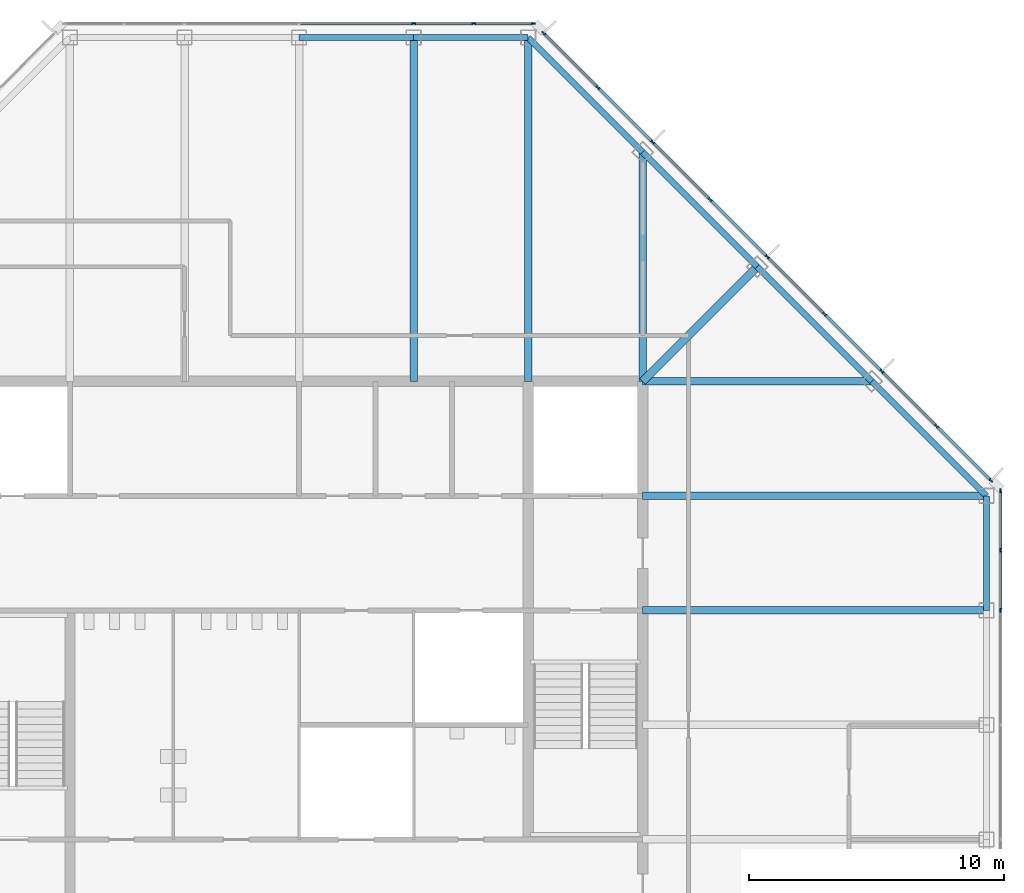
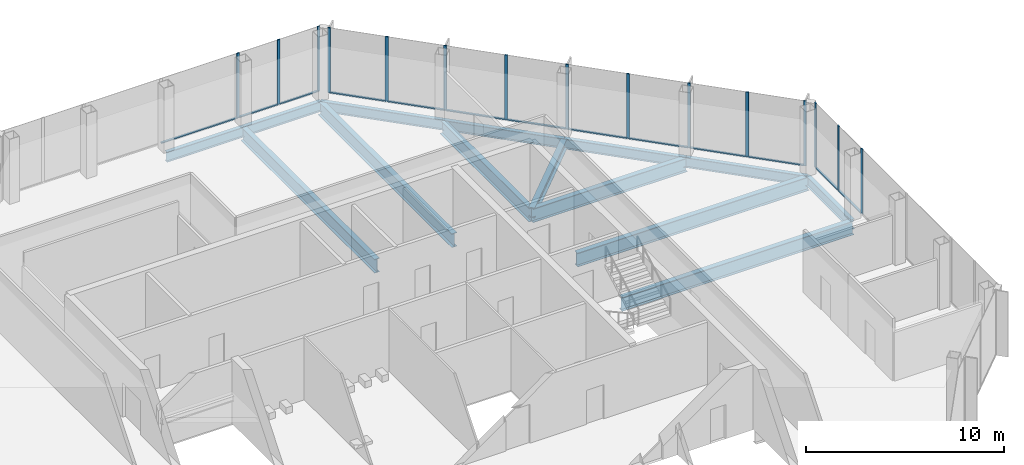
# One storey, part 7 of 13: 28 members, 14 beams, 3 elements without a shape of their own.
"""IFC4 building model written with IfcOpenShell, lengths in metres."""

import ifcopenshell
import ifcopenshell.guid

model = None  # the IFC model being written
_history = None  # IfcOwnerHistory: only IFC2X3 demands one
_inside = {}  # id of a spatial element -> (the spatial element, [elements in it])
_under = {}  # id of a project, library or spatial element -> (it, [spatial elements below it])
_declared = {}  # id of a project -> (the project, [libraries it declares])
_typed = {}  # id of a type object -> (the type object, [elements of that type])
_made_of = {}  # id of a material, layer set ... -> (it, [elements and type objects made of it])


def new_model(schema):
    """Start an empty IFC model of exactly this schema.

    Asked for "IFC4X3", IfcOpenShell would pick the latest addendum, in which some entities
    have other attributes; the version numbers below select the first issue.
    IFC2X3 requires an IfcOwnerHistory on every rooted entity: one is made here for all.
    """
    global model, _history
    if schema == "IFC4X3":
        model = ifcopenshell.file(schema_version=(4, 3, 0, 0))
    else:
        model = ifcopenshell.file(schema=schema)
    _inside.clear()
    _under.clear()
    _declared.clear()
    _typed.clear()
    _made_of.clear()
    _history = None
    if model.schema == "IFC2X3":
        org = make("IfcOrganization", Name="unknown")
        user = make(
            "IfcPersonAndOrganization",
            ThePerson=make("IfcPerson", FamilyName="unknown"),
            TheOrganization=org,
        )
        app = make(
            "IfcApplication",
            ApplicationDeveloper=org,
            Version="unknown",
            ApplicationFullName="unknown",
            ApplicationIdentifier="unknown",
        )
        _history = make(
            "IfcOwnerHistory",
            OwningUser=user,
            OwningApplication=app,
            ChangeAction="ADDED",
            CreationDate=0,
        )
    return model


def make(cls, **values):
    """One entity of the class cls with the attributes given. An attribute that is None is left unset."""
    return model.create_entity(
        cls, **{name: value for name, value in values.items() if value is not None}
    )


def rooted(cls, **values):
    """An entity with a GlobalId (a new one), such as an element, a storey or a relation."""
    return make(cls, GlobalId=ifcopenshell.guid.new(), OwnerHistory=_history, **values)


def si_unit(unit_type, name, prefix=None):
    """IfcSIUnit, for example si_unit("LENGTHUNIT", "METRE", prefix="MILLI")."""
    return make("IfcSIUnit", UnitType=unit_type, Prefix=prefix, Name=name)


def assignment(units):
    """IfcUnitAssignment: the units of a project."""
    return None if units is None else make("IfcUnitAssignment", Units=units)


def point(xyz):
    """IfcCartesianPoint."""
    return None if xyz is None else make("IfcCartesianPoint", Coordinates=xyz)


def direction(xyz):
    """IfcDirection."""
    return None if xyz is None else make("IfcDirection", DirectionRatios=xyz)


def frame(location, z_axis=None, x_axis=None):
    """IfcAxis2Placement3D, a coordinate frame: its origin and axes. An axis left out is left unset."""
    return make(
        "IfcAxis2Placement3D",
        Location=point(location),
        Axis=direction(z_axis),
        RefDirection=direction(x_axis),
    )


def frame_2d(location, x_axis=None):
    """IfcAxis2Placement2D, a coordinate frame in the plane: its origin and x axis."""
    return make(
        "IfcAxis2Placement2D", Location=point(location), RefDirection=direction(x_axis)
    )


def origin():
    """The frame at (0, 0, 0) with its axes left unset."""
    return frame((0.0, 0.0, 0.0))


def origin_2d():
    """The frame at (0, 0) in the plane with its x axis left unset."""
    return frame_2d((0.0, 0.0))


def place(relative_to, where):
    """IfcLocalPlacement: puts the frame where relative to a parent placement (None: the world)."""
    return make(
        "IfcLocalPlacement", PlacementRelTo=relative_to, RelativePlacement=where
    )


def context(
    kind, dimensions, precision=None, world=None, true_north=None, identifier=None
):
    """IfcGeometricRepresentationContext, for example the 3D "Model" context."""
    return make(
        "IfcGeometricRepresentationContext",
        ContextIdentifier=identifier,
        ContextType=kind,
        CoordinateSpaceDimension=dimensions,
        Precision=precision,
        WorldCoordinateSystem=world,
        TrueNorth=true_north,
    )


def subcontext(parent, identifier, kind, view, scale=None):
    """IfcGeometricRepresentationSubContext, for example "Body" below "Model"."""
    return make(
        "IfcGeometricRepresentationSubContext",
        ContextIdentifier=identifier,
        ContextType=kind,
        ParentContext=parent,
        TargetScale=scale,
        TargetView=view,
    )


def project(units=None, contexts=None):
    """IfcProject with its units and contexts."""
    return rooted(
        "IfcProject",
        Name="project",
        RepresentationContexts=contexts,
        UnitsInContext=assignment(units),
    )


def spatial(cls, under=None, at=None, **own):
    """A site, building, storey or space (cls), placed at a placement, below another one or the project."""
    s = rooted(cls, ObjectPlacement=at, **own)
    if under is not None:
        _under.setdefault(under.id(), (under, []))[1].append(s)
    return s


def profile(cls, at=None, kind="AREA", **sizes):
    """A parametric profile (cls). Its sizes go by their IFC names, for example OverallWidth=200.0."""
    return make(cls, ProfileType=kind, Position=at, **sizes)


def rectangle(**sizes):
    """IfcRectangleProfileDef."""
    return profile("IfcRectangleProfileDef", **sizes)


def i_section(**sizes):
    """IfcIShapeProfileDef."""
    return profile("IfcIShapeProfileDef", **sizes)


def extrude(swept, where, along, depth):
    """IfcExtrudedAreaSolid: the profile swept, set in the frame where, extruded along a direction by depth."""
    return make(
        "IfcExtrudedAreaSolid",
        SweptArea=swept,
        Position=where,
        ExtrudedDirection=direction(along),
        Depth=depth,
    )


def shape(context_of_items, identifier, shape_type, items):
    """IfcShapeRepresentation: the items that make up one representation, for example the "Body"."""
    return make(
        "IfcShapeRepresentation",
        ContextOfItems=context_of_items,
        RepresentationIdentifier=identifier,
        RepresentationType=shape_type,
        Items=items,
    )


def material(Name=None, Category=None):
    """IfcMaterial."""
    return make("IfcMaterial", Name=Name, Category=Category)


def material_profile(
    of_material, cross_section, Name=None, Category=None, Priority=None
):
    """IfcMaterialProfile: a cross section and its material."""
    return make(
        "IfcMaterialProfile",
        Name=Name,
        Material=of_material,
        Profile=cross_section,
        Priority=Priority,
        Category=Category,
    )


def profile_set(profiles, Name=None, composite=None):
    """IfcMaterialProfileSet."""
    return make(
        "IfcMaterialProfileSet",
        Name=Name,
        MaterialProfiles=profiles,
        CompositeProfile=composite,
    )


def made_of(thing, what):
    """Note that an element or type object is made of a material, layer set ...; save() writes the relation."""
    if what is not None:
        _made_of.setdefault(what.id(), (what, []))[1].append(thing)
    return thing


def type_object(cls, material=None, **own):
    """A type object (cls), such as IfcWallType, which elements share."""
    return made_of(rooted(cls, **own), material)


def element(
    cls,
    number,
    at=None,
    inside=None,
    cuts=None,
    type_object=None,
    material=None,
    context=None,
    identifier="Body",
    shape_type=None,
    held_by="IfcProductDefinitionShape",
    body=None,
    shapes=None,
    **own,
):
    """One element of the class cls, such as IfcWall. Its Tag is "e" and its number.

    at: its placement. inside: the storey or other place that contains it. cuts: it is an
    opening in that element (IfcRelVoidsElement). A single representation is given by context,
    identifier, shape_type and body (its items); several are given by shapes. held_by: the class
    of the entity that holds the representations. save() writes the other relations.
    """
    e = rooted(cls, Tag="e%d" % number, ObjectPlacement=at, **own)
    if body is not None:
        shapes = [shape(context, identifier, shape_type, body)]
    if shapes is not None:
        e.Representation = make(held_by, Representations=shapes)
    if inside is not None:
        _inside.setdefault(inside.id(), (inside, []))[1].append(e)
    if cuts is not None:
        rooted(
            "IfcRelVoidsElement", RelatingBuildingElement=cuts, RelatedOpeningElement=e
        )
    if type_object is not None:
        _typed.setdefault(type_object.id(), (type_object, []))[1].append(e)
    return made_of(e, material)


def aggregate(whole, parts):
    """IfcRelAggregates: a whole, such as a stair, and the parts it consists of."""
    return rooted("IfcRelAggregates", RelatingObject=whole, RelatedObjects=parts)


def save(model, path):
    """Write the relations noted so far, then the file.

    IfcRelAggregates (storeys below a building ...), IfcRelContainedInSpatialStructure (elements
    in a storey), IfcRelDefinesByType, IfcRelAssociatesMaterial and IfcRelDeclares: one each for
    every whole, place, type object, material and project.
    """
    for whole, parts in _under.values():
        aggregate(whole, parts)
    for where, things in _inside.values():
        rooted(
            "IfcRelContainedInSpatialStructure",
            RelatedElements=things,
            RelatingStructure=where,
        )
    for kind, things in _typed.values():
        rooted("IfcRelDefinesByType", RelatedObjects=things, RelatingType=kind)
    for what, things in _made_of.values():
        rooted("IfcRelAssociatesMaterial", RelatedObjects=things, RelatingMaterial=what)
    for by, libraries in _declared.values():
        rooted("IfcRelDeclares", RelatingContext=by, RelatedDefinitions=libraries)
    model.write(path)


model = new_model("IFC4")

# Units and contexts
model_context = context("Model", 3, precision=1e-05, world=origin(), true_north=direction((0.0, 1.0)))
body_context = subcontext(model_context, "Body", "Model", "MODEL_VIEW")
ifc_project = project(units=[si_unit("LENGTHUNIT", "METRE"), si_unit("AREAUNIT", "SQUARE_METRE"), si_unit("VOLUMEUNIT", "CUBIC_METRE"), si_unit("PLANEANGLEUNIT", "RADIAN"), si_unit("MASSUNIT", "GRAM", prefix="KILO")], contexts=[model_context])

# Site, building, storey
site_placement = place(None, origin())
site = spatial("IfcSite", under=ifc_project, at=site_placement, CompositionType="ELEMENT")
building_placement = place(site_placement, origin())
building = spatial("IfcBuilding", under=site, at=building_placement, Name="Corais Broadcast Tower", CompositionType="ELEMENT")
storey_placement = place(building_placement, frame((0.0, 0.0, 270.60009765625)))
storey = spatial("IfcBuildingStorey", under=building, at=storey_placement, Name="L63", CompositionType="ELEMENT", Elevation=270.60009765625)

# Beams
ifc_material_1 = material(Name="Steel ASTM A572 Grade 50", Category="steel")
ifc_material_profile_1 = material_profile(ifc_material_1, i_section(OverallWidth=0.323974609375, OverallDepth=0.611083984375, WebThickness=0.0126953125, FlangeThickness=0.01904296875, at=origin_2d()), Name="W610x155")
ifc_profile_set_1 = profile_set([ifc_material_profile_1], Name="Steel ASTM A572 Grade 50")
beam_type_1 = type_object("IfcBeamType", Name="Corner diagonal W610x155", PredefinedType="BEAM", material=ifc_profile_set_1)
beam_1_placement = place(storey_placement, frame((45.0, 45.0, -0.465576171875), z_axis=(-0.707106781187, -0.707106781187, 0.0), x_axis=(0.707106781187, -0.707106781187, 0.0)))
element("IfcBeam", 1, at=beam_1_placement, inside=storey, type_object=beam_type_1, Name="B6 L/13 to K/12", PredefinedType="BEAM", context=body_context, shape_type="SweptSolid", body=[
    extrude(i_section(OverallWidth=0.323974609375, OverallDepth=0.611083984375, WebThickness=0.0126953125, FlangeThickness=0.01904296875, at=origin_2d()), origin(), (0.0, 0.0, 1.0), 6.364013671875),
])
ifc_material_2 = material(Name="Steel ASTM A572 Grade 50", Category="steel")
ifc_material_profile_2 = material_profile(ifc_material_2, i_section(OverallWidth=0.2939453125, OverallDepth=0.85107421875, WebThickness=0.01611328125, FlangeThickness=0.02685546875, at=origin_2d()), Name="W840x226")
ifc_profile_set_2 = profile_set([ifc_material_profile_2], Name="Steel ASTM A572 Grade 50")
beam_type_2 = type_object("IfcBeamType", Name="Floor beam W840x226", PredefinedType="BEAM", material=ifc_profile_set_2)
for number, where, z_axis, x_axis, name in (
    (2, (31.5, 54.0, -0.585693359375), (0.0, -1.0, 0.0), (1.0, 0.0, 0.0), "B1 N/10 to K/10"),
    (3, (36.0, 54.0, -0.585693359375), (0.0, -1.0, 0.0), (1.0, 0.0, 0.0), "B1 N/11 to K/11"),
):
    element("IfcBeam", number, at=place(storey_placement, frame(where, z_axis=z_axis, x_axis=x_axis)), inside=storey, type_object=beam_type_2, Name=name, PredefinedType="BEAM", context=body_context, shape_type="SweptSolid", body=[
        extrude(i_section(OverallWidth=0.2939453125, OverallDepth=0.85107421875, WebThickness=0.01611328125, FlangeThickness=0.02685546875, at=origin_2d()), origin(), (0.0, 0.0, 1.0), 13.5),
    ])
for number, where, z_axis, x_axis, name in (
    (4, (40.5, 49.5, -0.585693359375), (0.0, -1.0, 0.0), (1.0, 0.0, 0.0), "B1 M/12 to K/12"),
    (5, (49.5, 40.5, -0.585693359375), (-1.0, 0.0, 0.0), (0.0, -1.0, 0.0), "B1 K/14 to K/12"),
):
    element("IfcBeam", number, at=place(storey_placement, frame(where, z_axis=z_axis, x_axis=x_axis)), inside=storey, type_object=beam_type_2, Name=name, PredefinedType="BEAM", context=body_context, shape_type="SweptSolid", body=[
        extrude(i_section(OverallWidth=0.2939453125, OverallDepth=0.85107421875, WebThickness=0.01611328125, FlangeThickness=0.02685546875, at=origin_2d()), origin(), (0.0, 0.0, 1.0), 9.0),
    ])
for number, where, z_axis, x_axis, name in (
    (6, (54.0, 31.5, -0.585693359375), (-1.0, 0.0, 0.0), (0.0, -1.0, 0.0), "B1 H/15 to H/12"),
    (7, (54.0, 36.0, -0.585693359375), (-1.0, 0.0, 0.0), (0.0, -1.0, 0.0), "B1 J/15 to J/12"),
):
    element("IfcBeam", number, at=place(storey_placement, frame(where, z_axis=z_axis, x_axis=x_axis)), inside=storey, type_object=beam_type_2, Name=name, PredefinedType="BEAM", context=body_context, shape_type="SweptSolid", body=[
        extrude(i_section(OverallWidth=0.2939453125, OverallDepth=0.85107421875, WebThickness=0.01611328125, FlangeThickness=0.02685546875, at=origin_2d()), origin(), (0.0, 0.0, 1.0), 13.5),
    ])

# Curtain wall, members
ifc_material_3 = material(Name="Aluminium and glass", Category="aluminium")
curtain_wall_type = type_object("IfcCurtainWallType", Name="Unitised fritted curtain wall CW3", PredefinedType="NOTDEFINED", material=ifc_material_3)
curtain_wall_1_placement = place(storey_placement, origin())
curtain_wall_1 = element("IfcCurtainWall", 8, at=curtain_wall_1_placement, inside=storey, type_object=curtain_wall_type, Name="CW3 curtain wall L63 4", PredefinedType="NOTDEFINED")
ifc_material_4 = material(Name="Aluminium 6063-T6", Category="aluminium")
ifc_material_profile_3 = material_profile(ifc_material_4, rectangle(XDim=0.06494140625, YDim=0.159912109375, at=origin_2d()), Name="Mullion CW3 65x160")
ifc_profile_set_3 = profile_set([ifc_material_profile_3], Name="Aluminium 6063-T6")
member_type_1 = type_object("IfcMemberType", Name="Mullion CW3 65x160", PredefinedType="MULLION", material=ifc_profile_set_3)
member_1_placement = place(storey_placement, frame((31.5, 54.550048828125, 0.0), z_axis=(0.0, 0.0, 1.0), x_axis=(0.0, 1.0, 0.0)))
member_1 = element("IfcMember", 9, at=member_1_placement, type_object=member_type_1, Name="CW3 mullion 5", PredefinedType="MULLION", context=body_context, shape_type="SweptSolid", body=[
    extrude(rectangle(XDim=0.06494140625, YDim=0.159912109375, at=origin_2d()), origin(), (0.0, 0.0, 1.0), 4.0),
])
member_2_placement = place(storey_placement, frame((33.864013671875, 54.550048828125, 0.0), z_axis=(0.0, 0.0, 1.0), x_axis=(0.0, 1.0, 0.0)))
member_2 = element("IfcMember", 10, at=member_2_placement, type_object=member_type_1, Name="CW3 mullion 6", PredefinedType="MULLION", context=body_context, shape_type="SweptSolid", body=[
    extrude(rectangle(XDim=0.06494140625, YDim=0.159912109375, at=origin_2d()), origin(), (0.0, 0.0, 1.0), 4.0),
])
member_3_placement = place(storey_placement, frame((36.1953125, 54.550048828125, 0.0), z_axis=(0.0, 0.0, 1.0), x_axis=(0.0, 1.0, 0.0)))
member_3 = element("IfcMember", 11, at=member_3_placement, type_object=member_type_1, Name="CW3 mullion 7", PredefinedType="MULLION", context=body_context, shape_type="SweptSolid", body=[
    extrude(rectangle(XDim=0.06494140625, YDim=0.159912109375, at=origin_2d()), origin(), (0.0, 0.0, 1.0), 4.0),
])

curtain_wall_2_placement = place(storey_placement, origin())
curtain_wall_2 = element("IfcCurtainWall", 12, at=curtain_wall_2_placement, inside=storey, type_object=curtain_wall_type, Name="CW3 curtain wall L63 5", PredefinedType="NOTDEFINED")
member_4_placement = place(storey_placement, frame((36.6044921875, 54.17333984375, 0.0), z_axis=(0.0, 0.0, 1.0), x_axis=(0.707106781187, 0.707106781187, 0.0)))
member_4 = element("IfcMember", 13, at=member_4_placement, type_object=member_type_1, Name="CW3 mullion 1", PredefinedType="MULLION", context=body_context, shape_type="SweptSolid", body=[
    extrude(rectangle(XDim=0.06494140625, YDim=0.159912109375, at=origin_2d()), origin(), (0.0, 0.0, 1.0), 4.0),
])
member_5_placement = place(storey_placement, frame((38.735107421875, 52.042724609375, 0.0), z_axis=(0.0, 0.0, 1.0), x_axis=(0.707106781187, 0.707106781187, 0.0)))
member_5 = element("IfcMember", 14, at=member_5_placement, type_object=member_type_1, Name="CW3 mullion 2", PredefinedType="MULLION", context=body_context, shape_type="SweptSolid", body=[
    extrude(rectangle(XDim=0.06494140625, YDim=0.159912109375, at=origin_2d()), origin(), (0.0, 0.0, 1.0), 4.0),
])
member_6_placement = place(storey_placement, frame((40.888916015625, 49.888916015625, 0.0), z_axis=(0.0, 0.0, 1.0), x_axis=(0.707106781187, 0.707106781187, 0.0)))
member_6 = element("IfcMember", 15, at=member_6_placement, type_object=member_type_1, Name="CW3 mullion 3", PredefinedType="MULLION", context=body_context, shape_type="SweptSolid", body=[
    extrude(rectangle(XDim=0.06494140625, YDim=0.159912109375, at=origin_2d()), origin(), (0.0, 0.0, 1.0), 4.0),
])
member_7_placement = place(storey_placement, frame((43.138916015625, 47.638916015625, 0.0), z_axis=(0.0, 0.0, 1.0), x_axis=(0.707106781187, 0.707106781187, 0.0)))
member_7 = element("IfcMember", 16, at=member_7_placement, type_object=member_type_1, Name="CW3 mullion 4", PredefinedType="MULLION", context=body_context, shape_type="SweptSolid", body=[
    extrude(rectangle(XDim=0.06494140625, YDim=0.159912109375, at=origin_2d()), origin(), (0.0, 0.0, 1.0), 4.0),
])
member_8_placement = place(storey_placement, frame((45.388916015625, 45.388916015625, 0.0), z_axis=(0.0, 0.0, 1.0), x_axis=(0.707106781187, 0.707106781187, 0.0)))
member_8 = element("IfcMember", 17, at=member_8_placement, type_object=member_type_1, Name="CW3 mullion 5", PredefinedType="MULLION", context=body_context, shape_type="SweptSolid", body=[
    extrude(rectangle(XDim=0.06494140625, YDim=0.159912109375, at=origin_2d()), origin(), (0.0, 0.0, 1.0), 4.0),
])
member_9_placement = place(storey_placement, frame((47.638916015625, 43.138916015625, 0.0), z_axis=(0.0, 0.0, 1.0), x_axis=(0.707106781187, 0.707106781187, 0.0)))
member_9 = element("IfcMember", 18, at=member_9_placement, type_object=member_type_1, Name="CW3 mullion 6", PredefinedType="MULLION", context=body_context, shape_type="SweptSolid", body=[
    extrude(rectangle(XDim=0.06494140625, YDim=0.159912109375, at=origin_2d()), origin(), (0.0, 0.0, 1.0), 4.0),
])
member_10_placement = place(storey_placement, frame((49.888916015625, 40.888916015625, 0.0), z_axis=(0.0, 0.0, 1.0), x_axis=(0.707106781187, 0.707106781187, 0.0)))
member_10 = element("IfcMember", 19, at=member_10_placement, type_object=member_type_1, Name="CW3 mullion 7", PredefinedType="MULLION", context=body_context, shape_type="SweptSolid", body=[
    extrude(rectangle(XDim=0.06494140625, YDim=0.159912109375, at=origin_2d()), origin(), (0.0, 0.0, 1.0), 4.0),
])
member_11_placement = place(storey_placement, frame((52.042724609375, 38.735107421875, 0.0), z_axis=(0.0, 0.0, 1.0), x_axis=(0.707106781187, 0.707106781187, 0.0)))
member_11 = element("IfcMember", 20, at=member_11_placement, type_object=member_type_1, Name="CW3 mullion 8", PredefinedType="MULLION", context=body_context, shape_type="SweptSolid", body=[
    extrude(rectangle(XDim=0.06494140625, YDim=0.159912109375, at=origin_2d()), origin(), (0.0, 0.0, 1.0), 4.0),
])
member_12_placement = place(storey_placement, frame((54.17333984375, 36.6044921875, 0.0), z_axis=(0.0, 0.0, 1.0), x_axis=(0.707106781187, 0.707106781187, 0.0)))
member_12 = element("IfcMember", 21, at=member_12_placement, type_object=member_type_1, Name="CW3 mullion 9", PredefinedType="MULLION", context=body_context, shape_type="SweptSolid", body=[
    extrude(rectangle(XDim=0.06494140625, YDim=0.159912109375, at=origin_2d()), origin(), (0.0, 0.0, 1.0), 4.0),
])

curtain_wall_3_placement = place(storey_placement, origin())
curtain_wall_3 = element("IfcCurtainWall", 22, at=curtain_wall_3_placement, inside=storey, type_object=curtain_wall_type, Name="CW3 curtain wall L63 6", PredefinedType="NOTDEFINED")
member_13_placement = place(storey_placement, frame((54.550048828125, 36.1953125, 0.0), z_axis=(0.0, 0.0, 1.0), x_axis=(1.0, 0.0, 0.0)))
member_13 = element("IfcMember", 23, at=member_13_placement, type_object=member_type_1, Name="CW3 mullion 1", PredefinedType="MULLION", context=body_context, shape_type="SweptSolid", body=[
    extrude(rectangle(XDim=0.06494140625, YDim=0.159912109375, at=origin_2d()), origin(), (0.0, 0.0, 1.0), 4.0),
])
member_14_placement = place(storey_placement, frame((54.550048828125, 33.864013671875, 0.0), z_axis=(0.0, 0.0, 1.0), x_axis=(1.0, 0.0, 0.0)))
member_14 = element("IfcMember", 24, at=member_14_placement, type_object=member_type_1, Name="CW3 mullion 2", PredefinedType="MULLION", context=body_context, shape_type="SweptSolid", body=[
    extrude(rectangle(XDim=0.06494140625, YDim=0.159912109375, at=origin_2d()), origin(), (0.0, 0.0, 1.0), 4.0),
])
member_15_placement = place(storey_placement, frame((54.550048828125, 31.5, 0.0), z_axis=(0.0, 0.0, 1.0), x_axis=(1.0, 0.0, 0.0)))
member_15 = element("IfcMember", 25, at=member_15_placement, type_object=member_type_1, Name="CW3 mullion 3", PredefinedType="MULLION", context=body_context, shape_type="SweptSolid", body=[
    extrude(rectangle(XDim=0.06494140625, YDim=0.159912109375, at=origin_2d()), origin(), (0.0, 0.0, 1.0), 4.0),
])

# Beams
ifc_material_5 = material(Name="Steel ASTM A572 Grade 50", Category="steel")
ifc_material_profile_4 = material_profile(ifc_material_5, i_section(OverallWidth=0.22998046875, OverallDepth=0.616943359375, WebThickness=0.01318359375, FlangeThickness=0.022216796875, at=origin_2d()), Name="W610x140")
ifc_profile_set_4 = profile_set([ifc_material_profile_4], Name="Steel ASTM A572 Grade 50")
beam_type_3 = type_object("IfcBeamType", Name="Spandrel W610x140", PredefinedType="BEAM", material=ifc_profile_set_4)
for number, where, z_axis, x_axis, name in (
    (26, (31.5, 54.0, -0.468505859375), (-1.0, 0.0, 0.0), (0.0, -1.0, 0.0), "SB3 N/10 to N/9"),
    (27, (36.0, 54.0, -0.468505859375), (-1.0, 0.0, 0.0), (0.0, -1.0, 0.0), "SB3 N/11 to N/10"),
):
    element("IfcBeam", number, at=place(storey_placement, frame(where, z_axis=z_axis, x_axis=x_axis)), inside=storey, type_object=beam_type_3, Name=name, PredefinedType="BEAM", context=body_context, shape_type="SweptSolid", body=[
        extrude(i_section(OverallWidth=0.22998046875, OverallDepth=0.616943359375, WebThickness=0.01318359375, FlangeThickness=0.022216796875, at=origin_2d()), origin(), (0.0, 0.0, 1.0), 4.5),
    ])
for number, where, z_axis, x_axis, name in (
    (28, (40.5, 49.5, -0.468505859375), (-0.707106781187, 0.707106781187, 0.0), (-0.707106781187, -0.707106781187, 0.0), "SB3 M/12 to N/11"),
    (29, (45.0, 45.0, -0.468505859375), (-0.707106781187, 0.707106781187, 0.0), (-0.707106781187, -0.707106781187, 0.0), "SB3 L/13 to M/12"),
    (30, (49.5, 40.5, -0.468505859375), (-0.707106781187, 0.707106781187, 0.0), (-0.707106781187, -0.707106781187, 0.0), "SB3 K/14 to L/13"),
):
    element("IfcBeam", number, at=place(storey_placement, frame(where, z_axis=z_axis, x_axis=x_axis)), inside=storey, type_object=beam_type_3, Name=name, PredefinedType="BEAM", context=body_context, shape_type="SweptSolid", body=[
        extrude(i_section(OverallWidth=0.22998046875, OverallDepth=0.616943359375, WebThickness=0.01318359375, FlangeThickness=0.022216796875, at=origin_2d()), origin(), (0.0, 0.0, 1.0), 6.364013671875),
    ])
beam_2_placement = place(storey_placement, frame((54.0, 31.5, -0.468505859375), z_axis=(0.0, 1.0, 0.0), x_axis=(-1.0, 0.0, 0.0)))
element("IfcBeam", 31, at=beam_2_placement, inside=storey, type_object=beam_type_3, Name="SB3 H/15 to J/15", PredefinedType="BEAM", context=body_context, shape_type="SweptSolid", body=[
    extrude(i_section(OverallWidth=0.22998046875, OverallDepth=0.616943359375, WebThickness=0.01318359375, FlangeThickness=0.022216796875, at=origin_2d()), origin(), (0.0, 0.0, 1.0), 4.5),
])
beam_3_placement = place(storey_placement, frame((54.0, 36.0, -0.468505859375), z_axis=(-0.707106781187, 0.707106781187, 0.0), x_axis=(-0.707106781187, -0.707106781187, 0.0)))
element("IfcBeam", 32, at=beam_3_placement, inside=storey, type_object=beam_type_3, Name="SB3 J/15 to K/14", PredefinedType="BEAM", context=body_context, shape_type="SweptSolid", body=[
    extrude(i_section(OverallWidth=0.22998046875, OverallDepth=0.616943359375, WebThickness=0.01318359375, FlangeThickness=0.022216796875, at=origin_2d()), origin(), (0.0, 0.0, 1.0), 6.364013671875),
])

# Member
ifc_material_6 = material(Name="Aluminium 6063-T6", Category="aluminium")
ifc_material_profile_5 = material_profile(ifc_material_6, rectangle(XDim=0.1201171875, YDim=0.06494140625, at=origin_2d()), Name="Transom CW3 65x120")
ifc_profile_set_5 = profile_set([ifc_material_profile_5], Name="Aluminium 6063-T6")
member_type_2 = type_object("IfcMemberType", Name="Transom CW3 65x120", PredefinedType="USERDEFINED", material=ifc_profile_set_5)
member_16_placement = place(storey_placement, frame((27.032470703125, 54.550048828125, 0.032470703125), z_axis=(1.0, 0.0, 0.0), x_axis=(0.0, 1.0, 0.0)))
member_16 = element("IfcMember", 33, at=member_16_placement, type_object=member_type_2, Name="CW3 transom 4.1", ObjectType="TRANSOM", PredefinedType="USERDEFINED", context=body_context, shape_type="SweptSolid", body=[
    extrude(rectangle(XDim=0.1201171875, YDim=0.06494140625, at=origin_2d()), origin(), (0.0, 0.0, 1.0), 4.43505859375),
])

member_17_placement = place(storey_placement, frame((31.532470703125, 54.550048828125, 0.032470703125), z_axis=(1.0, 0.0, 0.0), x_axis=(0.0, 1.0, 0.0)))
member_17 = element("IfcMember", 34, at=member_17_placement, type_object=member_type_2, Name="CW3 transom 5.1", ObjectType="TRANSOM", PredefinedType="USERDEFINED", context=body_context, shape_type="SweptSolid", body=[
    extrude(rectangle(XDim=0.1201171875, YDim=0.06494140625, at=origin_2d()), origin(), (0.0, 0.0, 1.0), 2.298828125),
])

member_18_placement = place(storey_placement, frame((33.896484375, 54.550048828125, 0.032470703125), z_axis=(1.0, 0.0, 0.0), x_axis=(0.0, 1.0, 0.0)))
member_18 = element("IfcMember", 35, at=member_18_placement, type_object=member_type_2, Name="CW3 transom 6.1", ObjectType="TRANSOM", PredefinedType="USERDEFINED", context=body_context, shape_type="SweptSolid", body=[
    extrude(rectangle(XDim=0.1201171875, YDim=0.06494140625, at=origin_2d()), origin(), (0.0, 0.0, 1.0), 2.266357421875),
])

aggregate(curtain_wall_1, [member_1, member_2, member_3, member_16, member_17, member_18])

member_19_placement = place(storey_placement, frame((36.62744140625, 54.150390625, 0.032470703125), z_axis=(0.707106781187, -0.707106781187, 0.0), x_axis=(0.707106781187, 0.707106781187, 0.0)))
member_19 = element("IfcMember", 36, at=member_19_placement, type_object=member_type_2, Name="CW3 transom 1.1", ObjectType="TRANSOM", PredefinedType="USERDEFINED", context=body_context, shape_type="SweptSolid", body=[
    extrude(rectangle(XDim=0.1201171875, YDim=0.06494140625, at=origin_2d()), origin(), (0.0, 0.0, 1.0), 2.9482421875),
])

member_20_placement = place(storey_placement, frame((38.758056640625, 52.019775390625, 0.032470703125), z_axis=(0.707106781187, -0.707106781187, 0.0), x_axis=(0.707106781187, 0.707106781187, 0.0)))
member_20 = element("IfcMember", 37, at=member_20_placement, type_object=member_type_2, Name="CW3 transom 2.1", ObjectType="TRANSOM", PredefinedType="USERDEFINED", context=body_context, shape_type="SweptSolid", body=[
    extrude(rectangle(XDim=0.1201171875, YDim=0.06494140625, at=origin_2d()), origin(), (0.0, 0.0, 1.0), 2.98095703125),
])

member_21_placement = place(storey_placement, frame((40.911865234375, 49.865966796875, 0.032470703125), z_axis=(0.707106781187, -0.707106781187, 0.0), x_axis=(0.707106781187, 0.707106781187, 0.0)))
member_21 = element("IfcMember", 38, at=member_21_placement, type_object=member_type_2, Name="CW3 transom 3.1", ObjectType="TRANSOM", PredefinedType="USERDEFINED", context=body_context, shape_type="SweptSolid", body=[
    extrude(rectangle(XDim=0.1201171875, YDim=0.06494140625, at=origin_2d()), origin(), (0.0, 0.0, 1.0), 3.1171875),
])

member_22_placement = place(storey_placement, frame((43.161865234375, 47.615966796875, 0.032470703125), z_axis=(0.707106781187, -0.707106781187, 0.0), x_axis=(0.707106781187, 0.707106781187, 0.0)))
member_22 = element("IfcMember", 39, at=member_22_placement, type_object=member_type_2, Name="CW3 transom 4.1", ObjectType="TRANSOM", PredefinedType="USERDEFINED", context=body_context, shape_type="SweptSolid", body=[
    extrude(rectangle(XDim=0.1201171875, YDim=0.06494140625, at=origin_2d()), origin(), (0.0, 0.0, 1.0), 3.1171875),
])

member_23_placement = place(storey_placement, frame((45.411865234375, 45.365966796875, 0.032470703125), z_axis=(0.707106781187, -0.707106781187, 0.0), x_axis=(0.707106781187, 0.707106781187, 0.0)))
member_23 = element("IfcMember", 40, at=member_23_placement, type_object=member_type_2, Name="CW3 transom 5.1", ObjectType="TRANSOM", PredefinedType="USERDEFINED", context=body_context, shape_type="SweptSolid", body=[
    extrude(rectangle(XDim=0.1201171875, YDim=0.06494140625, at=origin_2d()), origin(), (0.0, 0.0, 1.0), 3.1171875),
])

member_24_placement = place(storey_placement, frame((47.661865234375, 43.115966796875, 0.032470703125), z_axis=(0.707106781187, -0.707106781187, 0.0), x_axis=(0.707106781187, 0.707106781187, 0.0)))
member_24 = element("IfcMember", 41, at=member_24_placement, type_object=member_type_2, Name="CW3 transom 6.1", ObjectType="TRANSOM", PredefinedType="USERDEFINED", context=body_context, shape_type="SweptSolid", body=[
    extrude(rectangle(XDim=0.1201171875, YDim=0.06494140625, at=origin_2d()), origin(), (0.0, 0.0, 1.0), 3.1171875),
])

member_25_placement = place(storey_placement, frame((49.911865234375, 40.865966796875, 0.032470703125), z_axis=(0.707065828661, -0.70714773134, 0.0), x_axis=(0.70714773134, 0.707065828661, 0.0)))
member_25 = element("IfcMember", 42, at=member_25_placement, type_object=member_type_2, Name="CW3 transom 7.1", ObjectType="TRANSOM", PredefinedType="USERDEFINED", context=body_context, shape_type="SweptSolid", body=[
    extrude(rectangle(XDim=0.1201171875, YDim=0.06494140625, at=origin_2d()), origin(), (0.0, 0.0, 1.0), 2.98095703125),
])

member_26_placement = place(storey_placement, frame((52.065673828125, 38.712158203125, 0.032470703125), z_axis=(0.707106781187, -0.707106781187, 0.0), x_axis=(0.707106781187, 0.707106781187, 0.0)))
member_26 = element("IfcMember", 43, at=member_26_placement, type_object=member_type_2, Name="CW3 transom 8.1", ObjectType="TRANSOM", PredefinedType="USERDEFINED", context=body_context, shape_type="SweptSolid", body=[
    extrude(rectangle(XDim=0.1201171875, YDim=0.06494140625, at=origin_2d()), origin(), (0.0, 0.0, 1.0), 2.9482421875),
])

aggregate(curtain_wall_2, [member_4, member_5, member_6, member_7, member_8, member_9, member_10, member_11, member_12, member_19, member_20, member_21, member_22, member_23, member_24, member_25, member_26])

member_27_placement = place(storey_placement, frame((54.550048828125, 36.162841796875, 0.032470703125), z_axis=(0.0, -1.0, 0.0), x_axis=(1.0, 0.0, 0.0)))
member_27 = element("IfcMember", 44, at=member_27_placement, type_object=member_type_2, Name="CW3 transom 1.1", ObjectType="TRANSOM", PredefinedType="USERDEFINED", context=body_context, shape_type="SweptSolid", body=[
    extrude(rectangle(XDim=0.1201171875, YDim=0.06494140625, at=origin_2d()), origin(), (0.0, 0.0, 1.0), 2.266357421875),
])

member_28_placement = place(storey_placement, frame((54.550048828125, 33.831298828125, 0.032470703125), z_axis=(0.0, -1.0, 0.0), x_axis=(1.0, 0.0, 0.0)))
member_28 = element("IfcMember", 45, at=member_28_placement, type_object=member_type_2, Name="CW3 transom 2.1", ObjectType="TRANSOM", PredefinedType="USERDEFINED", context=body_context, shape_type="SweptSolid", body=[
    extrude(rectangle(XDim=0.1201171875, YDim=0.06494140625, at=origin_2d()), origin(), (0.0, 0.0, 1.0), 2.298828125),
])

aggregate(curtain_wall_3, [member_13, member_14, member_15, member_27, member_28])

save(model, "model.ifc")
